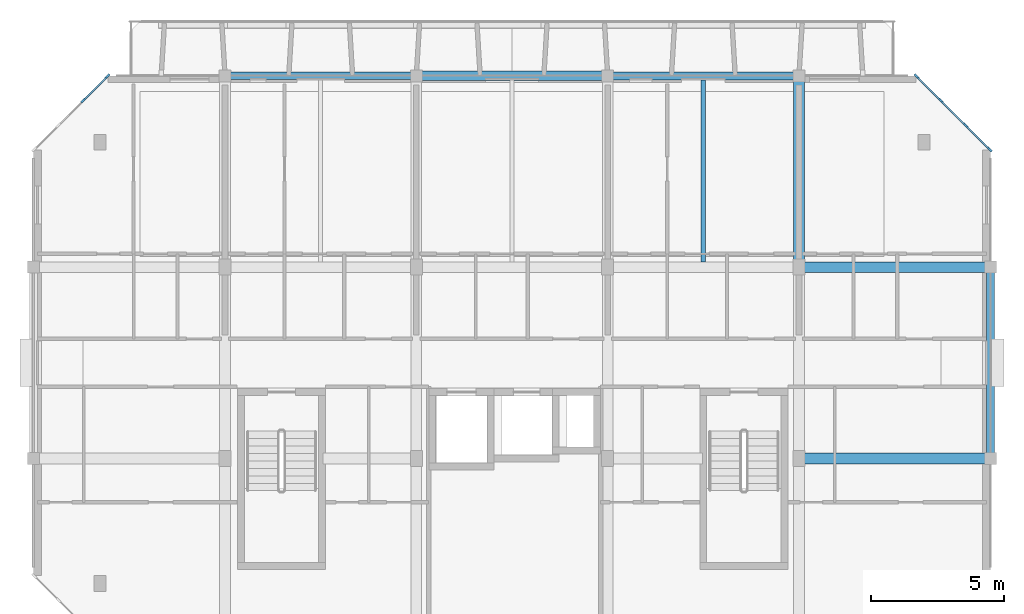
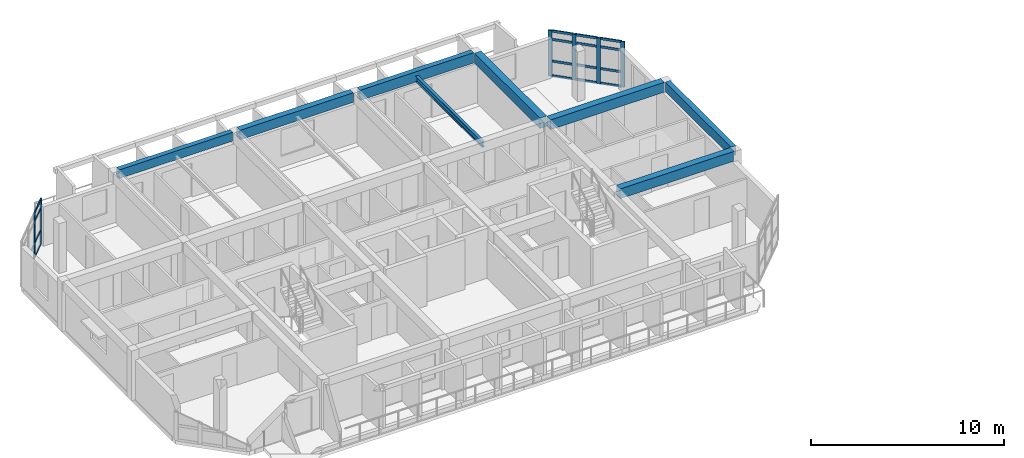
# One storey, part 5 of 22: 22 members, 8 beams, 2 elements without a shape of their own.
"""IFC4 building model written with IfcOpenShell, lengths in metres."""

from ifc_helpers import new_model, si_unit, direction, frame, origin, origin_2d, place, context, subcontext, project, spatial, rectangle, i_section, extrude, material, layer, layer_set, material_profile, profile_set, type_object, element, aggregate, save


model = new_model("IFC4")

# Units and contexts
model_context = context("Model", 3, precision=1e-05, world=origin(), true_north=direction((0.0, 1.0)))
body_context = subcontext(model_context, "Body", "Model", "MODEL_VIEW")
ifc_project = project(units=[si_unit("LENGTHUNIT", "METRE"), si_unit("AREAUNIT", "SQUARE_METRE"), si_unit("VOLUMEUNIT", "CUBIC_METRE"), si_unit("PLANEANGLEUNIT", "RADIAN"), si_unit("MASSUNIT", "GRAM", prefix="KILO")], contexts=[model_context])

# Site, building, storey
site_placement = place(None, origin())
site = spatial("IfcSite", under=ifc_project, at=site_placement, CompositionType="ELEMENT")
building_placement = place(site_placement, origin())
building = spatial("IfcBuilding", under=site, at=building_placement, Name="Ochrevale Crest", CompositionType="ELEMENT")
storey_placement = place(building_placement, frame((0.0, 0.0, 40.199951171875)))
storey = spatial("IfcBuildingStorey", under=building, at=storey_placement, Name="L12", CompositionType="ELEMENT", Elevation=40.199951171875)

# Beams
ifc_material_1 = material(Name="Precast concrete C50/60", Category="concrete")
ifc_material_profile_1 = material_profile(ifc_material_1, rectangle(XDim=0.39990234375, YDim=0.6201171875, at=origin_2d()), Name="PC 400x620")
ifc_profile_set_1 = profile_set([ifc_material_profile_1], Name="Precast concrete C50/60")
beam_type_1 = type_object("IfcBeamType", Name="BM-PC400x620", PredefinedType="BEAM", material=ifc_profile_set_1)
for number, where, z_axis, x_axis, name in (
    (1, (158.60009765625, 79.199951171875, 2.840087890625), (1.0, 0.0, 0.0), (0.0, 1.0, 0.0), "Block D L12 E-W beam Y=79.2"),
    (2, (158.60009765625, 86.39990234375, 2.840087890625), (1.0, 0.0, 0.0), (0.0, 1.0, 0.0), "Block D L12 E-W beam Y=86.4"),
):
    element("IfcBeam", number, at=place(storey_placement, frame(where, z_axis=z_axis, x_axis=x_axis)), inside=storey, type_object=beam_type_1, Name=name, PredefinedType="BEAM", context=body_context, shape_type="SweptSolid", body=[
        extrude(rectangle(XDim=0.39990234375, YDim=0.6201171875, at=origin_2d()), origin(), (0.0, 0.0, 1.0), 6.7998046875),
    ])
ifc_material_profile_2 = material_profile(ifc_material_1, rectangle(XDim=0.39990234375, YDim=0.64990234375, at=origin_2d()), Name="PC 400x650")
ifc_profile_set_2 = profile_set([ifc_material_profile_2], Name="Precast concrete C50/60")
beam_type_2 = type_object("IfcBeamType", Name="BM-PC400x650", PredefinedType="BEAM", material=ifc_profile_set_2)
beam_1_placement = place(storey_placement, frame((158.39990234375, 86.60498046875, 2.824951171875), z_axis=(0.0, 1.0, 0.0), x_axis=(-1.0, 0.0, 0.0)))
element("IfcBeam", 3, at=beam_1_placement, inside=storey, type_object=beam_type_2, Name="Block D L12 N-S beam X=158.4", PredefinedType="BEAM", context=body_context, shape_type="SweptSolid", body=[
    extrude(rectangle(XDim=0.39990234375, YDim=0.64990234375, at=origin_2d()), origin(), (0.0, 0.0, 1.0), 6.7900390625),
])
ifc_material_2 = material(Name="Precast concrete C40/50", Category="concrete")
ifc_material_profile_3 = material_profile(ifc_material_2, rectangle(XDim=0.280029296875, YDim=0.550048828125, at=origin_2d()), Name="PC 280x550")
ifc_profile_set_3 = profile_set([ifc_material_profile_3], Name="Precast concrete C40/50")
beam_type_3 = type_object("IfcBeamType", Name="BM-SP280x550", PredefinedType="SPANDREL", material=ifc_profile_set_3)
beam_2_placement = place(storey_placement, frame((137.0, 93.60009765625, 2.875), z_axis=(1.0, 0.0, 0.0), x_axis=(0.0, 1.0, 0.0)))
element("IfcBeam", 4, at=beam_2_placement, inside=storey, type_object=beam_type_3, Name="Block D L12 E-W beam Y=93.6", PredefinedType="SPANDREL", context=body_context, shape_type="SweptSolid", body=[
    extrude(rectangle(XDim=0.280029296875, YDim=0.550048828125, at=origin_2d()), origin(), (0.0, 0.0, 1.0), 6.800048828125),
])
ifc_material_profile_4 = material_profile(ifc_material_2, rectangle(XDim=0.300048828125, YDim=0.60009765625, at=origin_2d()), Name="PC 300x600")
ifc_profile_set_4 = profile_set([ifc_material_profile_4], Name="Precast concrete C40/50")
beam_type_4 = type_object("IfcBeamType", Name="BM-SP300x600", PredefinedType="SPANDREL", material=ifc_profile_set_4)
beam_3_placement = place(storey_placement, frame((165.60009765625, 79.405029296875, 2.85009765625), z_axis=(0.0, 1.0, 0.0), x_axis=(-1.0, 0.0, 0.0)))
element("IfcBeam", 5, at=beam_3_placement, inside=storey, type_object=beam_type_4, Name="Block D L12 N-S beam X=165.6", PredefinedType="SPANDREL", context=body_context, shape_type="SweptSolid", body=[
    extrude(rectangle(XDim=0.300048828125, YDim=0.60009765625, at=origin_2d()), origin(), (0.0, 0.0, 1.0), 6.7900390625),
])
ifc_material_profile_5 = material_profile(ifc_material_2, rectangle(XDim=0.300048828125, YDim=0.64990234375, at=origin_2d()), Name="PC 300x650")
ifc_profile_set_5 = profile_set([ifc_material_profile_5], Name="Precast concrete C40/50")
beam_type_5 = type_object("IfcBeamType", Name="BM-SP300x650", PredefinedType="SPANDREL", material=ifc_profile_set_5)
beam_4_placement = place(storey_placement, frame((151.39990234375, 93.60009765625, 2.824951171875), z_axis=(1.0, 0.0, 0.0), x_axis=(0.0, 1.0, 0.0)))
element("IfcBeam", 6, at=beam_4_placement, inside=storey, type_object=beam_type_5, Name="Block D L12 E-W beam Y=93.6", PredefinedType="SPANDREL", context=body_context, shape_type="SweptSolid", body=[
    extrude(rectangle(XDim=0.300048828125, YDim=0.64990234375, at=origin_2d()), origin(), (0.0, 0.0, 1.0), 6.800048828125),
])
ifc_material_profile_6 = material_profile(ifc_material_2, rectangle(XDim=0.35009765625, YDim=0.60009765625, at=origin_2d()), Name="PC 350x600")
ifc_profile_set_6 = profile_set([ifc_material_profile_6], Name="Precast concrete C40/50")
beam_type_6 = type_object("IfcBeamType", Name="BM-SP350x600", PredefinedType="SPANDREL", material=ifc_profile_set_6)
beam_5_placement = place(storey_placement, frame((144.199951171875, 93.60009765625, 2.85009765625), z_axis=(1.0, 0.0, 0.0), x_axis=(0.0, 1.0, 0.0)))
element("IfcBeam", 7, at=beam_5_placement, inside=storey, type_object=beam_type_6, Name="Block D L12 E-W beam Y=93.6", PredefinedType="SPANDREL", context=body_context, shape_type="SweptSolid", body=[
    extrude(rectangle(XDim=0.35009765625, YDim=0.60009765625, at=origin_2d()), origin(), (0.0, 0.0, 1.0), 6.800048828125),
])
ifc_material_3 = material(Name="Steel S355", Category="steel")
ifc_material_profile_7 = material_profile(ifc_material_3, i_section(OverallWidth=0.17138671875, OverallDepth=0.355712890625, WebThickness=0.00732421875, FlangeThickness=0.011474609375, FilletRadius=0.011474609375, at=origin_2d()), Name="360UB50.7")
ifc_profile_set_7 = profile_set([ifc_material_profile_7], Name="Steel S355")
beam_type_7 = type_object("IfcBeamType", Name="BM-UB360A", PredefinedType="BEAM", material=ifc_profile_set_7)
beam_6_placement = place(storey_placement, frame((154.800048828125, 86.587890625, 2.697265625), z_axis=(0.0, 1.0, 0.0), x_axis=(-1.0, 0.0, 0.0)))
element("IfcBeam", 8, at=beam_6_placement, inside=storey, type_object=beam_type_7, Name="Block D L12 composite plank trimmer beam 4", PredefinedType="BEAM", context=body_context, shape_type="SweptSolid", body=[
    extrude(i_section(OverallWidth=0.17138671875, OverallDepth=0.355712890625, WebThickness=0.00732421875, FlangeThickness=0.011474609375, FilletRadius=0.011474609375, at=origin_2d()), origin(), (0.0, 0.0, 1.0), 6.8740234375),
])

# Curtain wall, members
ifc_material_4 = material(Name="Anodised aluminium 6063-T5", Category="aluminium")
ifc_layer_1 = layer(ifc_material_4, 0.14990234375)
ifc_layer_set_1 = layer_set([ifc_layer_1], Name="Anodised aluminium 6063-T5")
curtain_wall_type_1 = type_object("IfcCurtainWallType", Name="CW-WG-280x285", PredefinedType="NOTDEFINED", material=ifc_layer_set_1)
curtain_wall_1_placement = place(storey_placement, origin())
curtain_wall_1 = element("IfcCurtainWall", 9, at=curtain_wall_1_placement, inside=storey, type_object=curtain_wall_type_1, Name="Block D L12 chamfered corner wintergarden curtain wall 4", PredefinedType="NOTDEFINED")
ifc_material_profile_8 = material_profile(ifc_material_4, rectangle(XDim=0.074951171875, YDim=0.219970703125, at=origin_2d()), Name="ALU 75x220")
ifc_profile_set_8 = profile_set([ifc_material_profile_8], Name="Anodised aluminium 6063-T5")
member_type_1 = type_object("IfcMemberType", Name="CW-MUL-75x220", PredefinedType="MULLION", material=ifc_profile_set_8)
member_1_placement = place(storey_placement, frame((165.573486328125, 90.826416015625, 0.0), z_axis=(0.0, 0.0, 1.0), x_axis=(-0.707106781187, -0.707106781187, 0.0)))
member_1 = element("IfcMember", 10, at=member_1_placement, type_object=member_type_1, Name="CW16 mullion 1", PredefinedType="MULLION", context=body_context, shape_type="SweptSolid", body=[
    extrude(rectangle(XDim=0.074951171875, YDim=0.219970703125, at=origin_2d()), origin(), (0.0, 0.0, 1.0), 2.875),
])
member_2_placement = place(storey_placement, frame((164.666748046875, 91.7333984375, 0.0), z_axis=(0.0, 0.0, 1.0), x_axis=(-0.707106781187, -0.707106781187, 0.0)))
member_2 = element("IfcMember", 11, at=member_2_placement, type_object=member_type_1, Name="CW16 mullion 2", PredefinedType="MULLION", context=body_context, shape_type="SweptSolid", body=[
    extrude(rectangle(XDim=0.074951171875, YDim=0.219970703125, at=origin_2d()), origin(), (0.0, 0.0, 1.0), 2.875),
])
member_3_placement = place(storey_placement, frame((163.7333984375, 92.666748046875, 0.0), z_axis=(0.0, 0.0, 1.0), x_axis=(-0.707106781187, -0.707106781187, 0.0)))
member_3 = element("IfcMember", 12, at=member_3_placement, type_object=member_type_1, Name="CW16 mullion 3", PredefinedType="MULLION", context=body_context, shape_type="SweptSolid", body=[
    extrude(rectangle(XDim=0.074951171875, YDim=0.219970703125, at=origin_2d()), origin(), (0.0, 0.0, 1.0), 2.875),
])
member_4_placement = place(storey_placement, frame((162.826416015625, 93.573486328125, 0.0), z_axis=(0.0, 0.0, 1.0), x_axis=(-0.707106781187, -0.707106781187, 0.0)))
member_4 = element("IfcMember", 13, at=member_4_placement, type_object=member_type_1, Name="CW16 mullion 4", PredefinedType="MULLION", context=body_context, shape_type="SweptSolid", body=[
    extrude(rectangle(XDim=0.074951171875, YDim=0.219970703125, at=origin_2d()), origin(), (0.0, 0.0, 1.0), 2.875),
])

ifc_layer_2 = layer(ifc_material_4, 0.14990234375)
ifc_layer_set_2 = layer_set([ifc_layer_2], Name="Anodised aluminium 6063-T5")
curtain_wall_type_2 = type_object("IfcCurtainWallType", Name="CW-WG-360x285", PredefinedType="NOTDEFINED", material=ifc_layer_set_2)
curtain_wall_2_placement = place(storey_placement, origin())
curtain_wall_2 = element("IfcCurtainWall", 14, at=curtain_wall_2_placement, inside=storey, type_object=curtain_wall_type_2, Name="Block D L12 chamfered corner wintergarden curtain wall 6", PredefinedType="NOTDEFINED")
member_5_placement = place(storey_placement, frame((132.37353515625, 93.573486328125, 0.0), z_axis=(0.0, 0.0, 1.0), x_axis=(0.707106781187, -0.707106781187, 0.0)))
member_5 = element("IfcMember", 15, at=member_5_placement, type_object=member_type_1, Name="CW18 mullion 1", PredefinedType="MULLION", context=body_context, shape_type="SweptSolid", body=[
    extrude(rectangle(XDim=0.074951171875, YDim=0.219970703125, at=origin_2d()), origin(), (0.0, 0.0, 1.0), 2.875),
])
member_6_placement = place(storey_placement, frame((131.466552734375, 92.666748046875, 0.0), z_axis=(0.0, 0.0, 1.0), x_axis=(0.707106781187, -0.707106781187, 0.0)))
member_6 = element("IfcMember", 16, at=member_6_placement, type_object=member_type_1, Name="CW18 mullion 2", PredefinedType="MULLION", context=body_context, shape_type="SweptSolid", body=[
    extrude(rectangle(XDim=0.074951171875, YDim=0.219970703125, at=origin_2d()), origin(), (0.0, 0.0, 1.0), 2.875),
])

# Member
ifc_material_profile_9 = material_profile(ifc_material_4, rectangle(XDim=0.06005859375, YDim=0.14990234375, at=origin_2d()), Name="ALU 60x150")
ifc_profile_set_9 = profile_set([ifc_material_profile_9], Name="Anodised aluminium 6063-T5")
member_type_2 = type_object("IfcMemberType", Name="CW-TRN-60x150", PredefinedType="USERDEFINED", material=ifc_profile_set_9)
member_7_placement = place(storey_placement, frame((165.546875, 90.85302734375, 0.030029296875), z_axis=(-0.707106781187, 0.707106781187, 0.0), x_axis=(-0.707106781187, -0.707106781187, 0.0)))
member_7 = element("IfcMember", 17, at=member_7_placement, type_object=member_type_2, Name="CW16 transom 1.1", ObjectType="TRANSOM", PredefinedType="USERDEFINED", context=body_context, shape_type="SweptSolid", body=[
    extrude(rectangle(XDim=0.06005859375, YDim=0.14990234375, at=origin_2d()), origin(), (0.0, 0.0, 1.0), 1.20751953125),
])

member_8_placement = place(storey_placement, frame((165.546875, 90.85302734375, 0.949951171875), z_axis=(-0.707106781187, 0.707106781187, 0.0), x_axis=(-0.707106781187, -0.707106781187, 0.0)))
member_8 = element("IfcMember", 18, at=member_8_placement, type_object=member_type_2, Name="CW16 transom 1.2", ObjectType="TRANSOM", PredefinedType="USERDEFINED", context=body_context, shape_type="SweptSolid", body=[
    extrude(rectangle(XDim=0.06005859375, YDim=0.14990234375, at=origin_2d()), origin(), (0.0, 0.0, 1.0), 1.20751953125),
])

member_9_placement = place(storey_placement, frame((165.546875, 90.85302734375, 2.324951171875), z_axis=(-0.707106781187, 0.707106781187, 0.0), x_axis=(-0.707106781187, -0.707106781187, 0.0)))
member_9 = element("IfcMember", 19, at=member_9_placement, type_object=member_type_2, Name="CW16 transom 1.3", ObjectType="TRANSOM", PredefinedType="USERDEFINED", context=body_context, shape_type="SweptSolid", body=[
    extrude(rectangle(XDim=0.06005859375, YDim=0.14990234375, at=origin_2d()), origin(), (0.0, 0.0, 1.0), 1.20751953125),
])

member_10_placement = place(storey_placement, frame((165.546875, 90.85302734375, 2.844970703125), z_axis=(-0.707106781187, 0.707106781187, 0.0), x_axis=(-0.707106781187, -0.707106781187, 0.0)))
member_10 = element("IfcMember", 20, at=member_10_placement, type_object=member_type_2, Name="CW16 transom 1.4", ObjectType="TRANSOM", PredefinedType="USERDEFINED", context=body_context, shape_type="SweptSolid", body=[
    extrude(rectangle(XDim=0.06005859375, YDim=0.14990234375, at=origin_2d()), origin(), (0.0, 0.0, 1.0), 1.20751953125),
])

member_11_placement = place(storey_placement, frame((164.64013671875, 91.759765625, 0.030029296875), z_axis=(-0.707106781187, 0.707106781187, 0.0), x_axis=(-0.707106781187, -0.707106781187, 0.0)))
member_11 = element("IfcMember", 21, at=member_11_placement, type_object=member_type_2, Name="CW16 transom 2.1", ObjectType="TRANSOM", PredefinedType="USERDEFINED", context=body_context, shape_type="SweptSolid", body=[
    extrude(rectangle(XDim=0.06005859375, YDim=0.14990234375, at=origin_2d()), origin(), (0.0, 0.0, 1.0), 1.2451171875),
])

member_12_placement = place(storey_placement, frame((164.64013671875, 91.759765625, 0.949951171875), z_axis=(-0.707106781187, 0.707106781187, 0.0), x_axis=(-0.707106781187, -0.707106781187, 0.0)))
member_12 = element("IfcMember", 22, at=member_12_placement, type_object=member_type_2, Name="CW16 transom 2.2", ObjectType="TRANSOM", PredefinedType="USERDEFINED", context=body_context, shape_type="SweptSolid", body=[
    extrude(rectangle(XDim=0.06005859375, YDim=0.14990234375, at=origin_2d()), origin(), (0.0, 0.0, 1.0), 1.2451171875),
])

member_13_placement = place(storey_placement, frame((164.64013671875, 91.759765625, 2.324951171875), z_axis=(-0.707106781187, 0.707106781187, 0.0), x_axis=(-0.707106781187, -0.707106781187, 0.0)))
member_13 = element("IfcMember", 23, at=member_13_placement, type_object=member_type_2, Name="CW16 transom 2.3", ObjectType="TRANSOM", PredefinedType="USERDEFINED", context=body_context, shape_type="SweptSolid", body=[
    extrude(rectangle(XDim=0.06005859375, YDim=0.14990234375, at=origin_2d()), origin(), (0.0, 0.0, 1.0), 1.2451171875),
])

member_14_placement = place(storey_placement, frame((164.64013671875, 91.759765625, 2.844970703125), z_axis=(-0.707106781187, 0.707106781187, 0.0), x_axis=(-0.707106781187, -0.707106781187, 0.0)))
member_14 = element("IfcMember", 24, at=member_14_placement, type_object=member_type_2, Name="CW16 transom 2.4", ObjectType="TRANSOM", PredefinedType="USERDEFINED", context=body_context, shape_type="SweptSolid", body=[
    extrude(rectangle(XDim=0.06005859375, YDim=0.14990234375, at=origin_2d()), origin(), (0.0, 0.0, 1.0), 1.2451171875),
])

member_15_placement = place(storey_placement, frame((163.706787109375, 92.693115234375, 0.030029296875), z_axis=(-0.707106781187, 0.707106781187, 0.0), x_axis=(-0.707106781187, -0.707106781187, 0.0)))
member_15 = element("IfcMember", 25, at=member_15_placement, type_object=member_type_2, Name="CW16 transom 3.1", ObjectType="TRANSOM", PredefinedType="USERDEFINED", context=body_context, shape_type="SweptSolid", body=[
    extrude(rectangle(XDim=0.06005859375, YDim=0.14990234375, at=origin_2d()), origin(), (0.0, 0.0, 1.0), 1.20751953125),
])

member_16_placement = place(storey_placement, frame((163.706787109375, 92.693115234375, 0.949951171875), z_axis=(-0.707106781187, 0.707106781187, 0.0), x_axis=(-0.707106781187, -0.707106781187, 0.0)))
member_16 = element("IfcMember", 26, at=member_16_placement, type_object=member_type_2, Name="CW16 transom 3.2", ObjectType="TRANSOM", PredefinedType="USERDEFINED", context=body_context, shape_type="SweptSolid", body=[
    extrude(rectangle(XDim=0.06005859375, YDim=0.14990234375, at=origin_2d()), origin(), (0.0, 0.0, 1.0), 1.20751953125),
])

member_17_placement = place(storey_placement, frame((163.706787109375, 92.693115234375, 2.324951171875), z_axis=(-0.707106781187, 0.707106781187, 0.0), x_axis=(-0.707106781187, -0.707106781187, 0.0)))
member_17 = element("IfcMember", 27, at=member_17_placement, type_object=member_type_2, Name="CW16 transom 3.3", ObjectType="TRANSOM", PredefinedType="USERDEFINED", context=body_context, shape_type="SweptSolid", body=[
    extrude(rectangle(XDim=0.06005859375, YDim=0.14990234375, at=origin_2d()), origin(), (0.0, 0.0, 1.0), 1.20751953125),
])

member_18_placement = place(storey_placement, frame((163.706787109375, 92.693115234375, 2.844970703125), z_axis=(-0.707106781187, 0.707106781187, 0.0), x_axis=(-0.707106781187, -0.707106781187, 0.0)))
member_18 = element("IfcMember", 28, at=member_18_placement, type_object=member_type_2, Name="CW16 transom 3.4", ObjectType="TRANSOM", PredefinedType="USERDEFINED", context=body_context, shape_type="SweptSolid", body=[
    extrude(rectangle(XDim=0.06005859375, YDim=0.14990234375, at=origin_2d()), origin(), (0.0, 0.0, 1.0), 1.20751953125),
])

aggregate(curtain_wall_1, [member_1, member_2, member_3, member_4, member_7, member_8, member_9, member_10, member_11, member_12, member_13, member_14, member_15, member_16, member_17, member_18])

member_19_placement = place(storey_placement, frame((132.346923828125, 93.546875, 0.030029296875), z_axis=(-0.707106781187, -0.707106781187, 0.0), x_axis=(0.707106781187, -0.707106781187, 0.0)))
member_19 = element("IfcMember", 29, at=member_19_placement, type_object=member_type_2, Name="CW18 transom 1.1", ObjectType="TRANSOM", PredefinedType="USERDEFINED", context=body_context, shape_type="SweptSolid", body=[
    extrude(rectangle(XDim=0.06005859375, YDim=0.14990234375, at=origin_2d()), origin(), (0.0, 0.0, 1.0), 1.20751953125),
])

member_20_placement = place(storey_placement, frame((132.346923828125, 93.546875, 0.949951171875), z_axis=(-0.707106781187, -0.707106781187, 0.0), x_axis=(0.707106781187, -0.707106781187, 0.0)))
member_20 = element("IfcMember", 30, at=member_20_placement, type_object=member_type_2, Name="CW18 transom 1.2", ObjectType="TRANSOM", PredefinedType="USERDEFINED", context=body_context, shape_type="SweptSolid", body=[
    extrude(rectangle(XDim=0.06005859375, YDim=0.14990234375, at=origin_2d()), origin(), (0.0, 0.0, 1.0), 1.20751953125),
])

member_21_placement = place(storey_placement, frame((132.346923828125, 93.546875, 2.324951171875), z_axis=(-0.707106781187, -0.707106781187, 0.0), x_axis=(0.707106781187, -0.707106781187, 0.0)))
member_21 = element("IfcMember", 31, at=member_21_placement, type_object=member_type_2, Name="CW18 transom 1.3", ObjectType="TRANSOM", PredefinedType="USERDEFINED", context=body_context, shape_type="SweptSolid", body=[
    extrude(rectangle(XDim=0.06005859375, YDim=0.14990234375, at=origin_2d()), origin(), (0.0, 0.0, 1.0), 1.20751953125),
])

member_22_placement = place(storey_placement, frame((132.346923828125, 93.546875, 2.844970703125), z_axis=(-0.707106781187, -0.707106781187, 0.0), x_axis=(0.707106781187, -0.707106781187, 0.0)))
member_22 = element("IfcMember", 32, at=member_22_placement, type_object=member_type_2, Name="CW18 transom 1.4", ObjectType="TRANSOM", PredefinedType="USERDEFINED", context=body_context, shape_type="SweptSolid", body=[
    extrude(rectangle(XDim=0.06005859375, YDim=0.14990234375, at=origin_2d()), origin(), (0.0, 0.0, 1.0), 1.20751953125),
])

aggregate(curtain_wall_2, [member_5, member_6, member_19, member_20, member_21, member_22])

save(model, "model.ifc")
